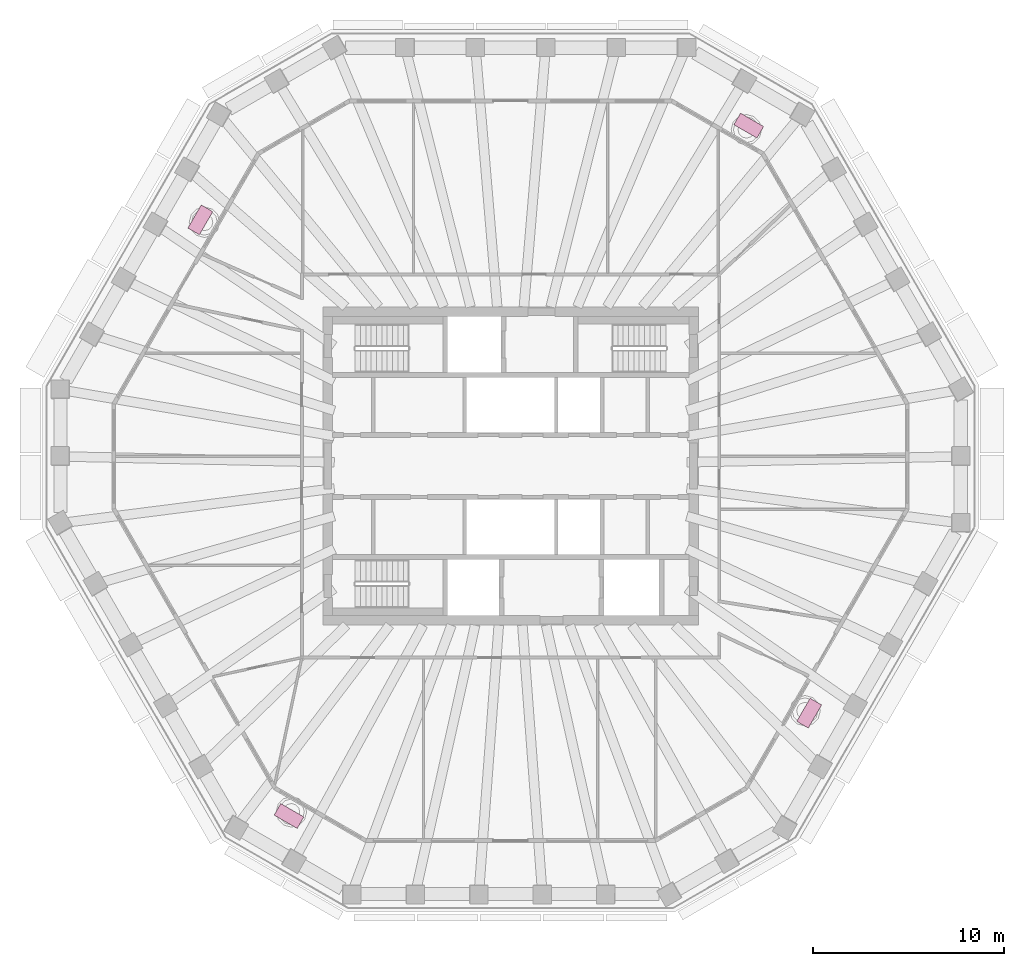
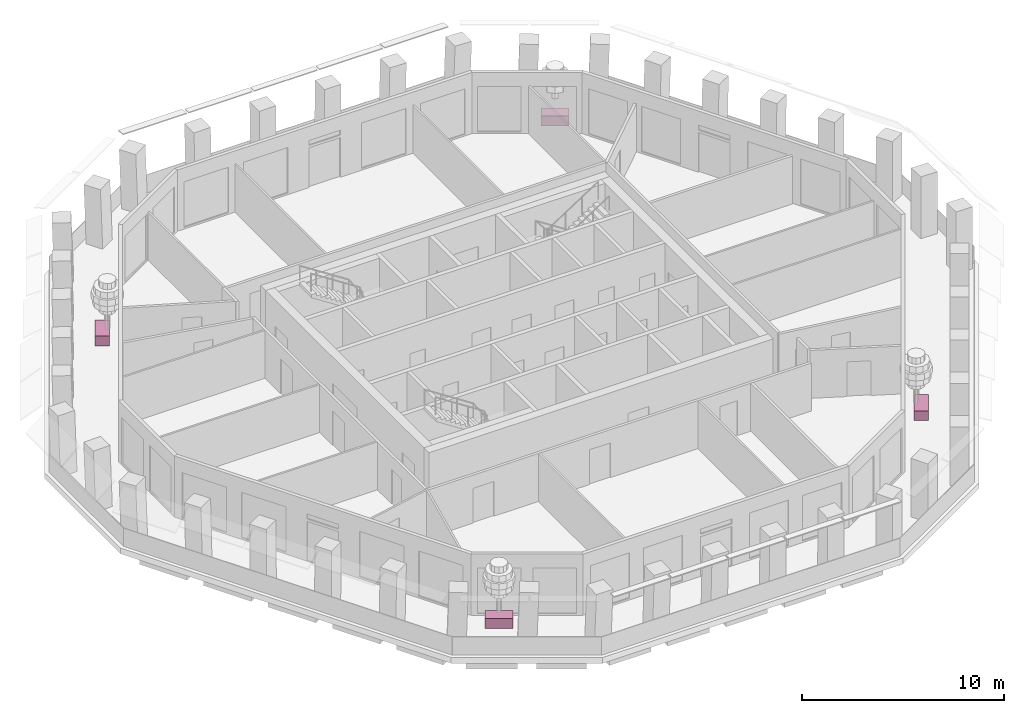
# One storey, part 10 of 11: 4 furniture elements.
"""IFC4 building model written with IfcOpenShell, lengths in metres."""

from ifc_helpers import new_model, si_unit, direction, frame, origin, origin_2d, place, context, subcontext, project, spatial, rectangle, extrude, material, type_object, element, save


model = new_model("IFC4")

# Units and contexts
model_context = context("Model", 3, precision=1e-05, world=origin(), true_north=direction((0.0, 1.0)))
body_context = subcontext(model_context, "Body", "Model", "MODEL_VIEW")
ifc_project = project(units=[si_unit("LENGTHUNIT", "METRE"), si_unit("AREAUNIT", "SQUARE_METRE"), si_unit("VOLUMEUNIT", "CUBIC_METRE"), si_unit("PLANEANGLEUNIT", "RADIAN"), si_unit("MASSUNIT", "GRAM", prefix="KILO")], contexts=[model_context])

# Site, building, storey
site_placement = place(None, origin())
site = spatial("IfcSite", under=ifc_project, at=site_placement, CompositionType="ELEMENT")
building_placement = place(site_placement, origin())
building = spatial("IfcBuilding", under=site, at=building_placement, Name="Frailejon Research Tower", CompositionType="ELEMENT")
storey_placement = place(building_placement, frame((0.0, 0.0, 279.0)))
storey = spatial("IfcBuildingStorey", under=building, at=storey_placement, Name="L61", CompositionType="ELEMENT", Elevation=279.0)

# Furniture
ifc_material = material(Name="Precast concrete C30/37 planter, terracotta", Category="masonry")
furniture_type = type_object("IfcFurnitureType", Name="Loggia planter 1400x700", AssemblyPlace="NOTDEFINED", PredefinedType="USERDEFINED", material=ifc_material)
for number, where, z_axis, x_axis, name in (
    (1, (12.49560546875, 17.85888671875, 0.0), (0.0, 0.0, 1.0), (-0.866025403784, 0.5, 0.0), "Planter L61"),
    (2, (-16.276123046875, 12.914306640625, 0.0), (0.0, 0.0, 1.0), (-0.5, -0.866025403784, 0.0), "Planter L61"),
    (3, (-11.624755859375, -18.36181640625, 0.0), (0.0, 0.0, 1.0), (0.866025403784, -0.5, 0.0), "Planter L61"),
    (4, (15.66650390625, -12.964599609375, 0.0), (0.0, 0.0, 1.0), (0.5, 0.866025403784, 0.0), "Planter L61"),
):
    element("IfcFurniture", number, at=place(storey_placement, frame(where, z_axis=z_axis, x_axis=x_axis)), inside=storey, type_object=furniture_type, Name=name, ObjectType="PLANTER", PredefinedType="USERDEFINED", context=body_context, shape_type="SweptSolid", body=[
        extrude(rectangle(XDim=1.39990234375, YDim=0.699951171875, at=origin_2d()), origin(), (0.0, 0.0, 1.0), 0.60009765625),
    ])

save(model, "model.ifc")
